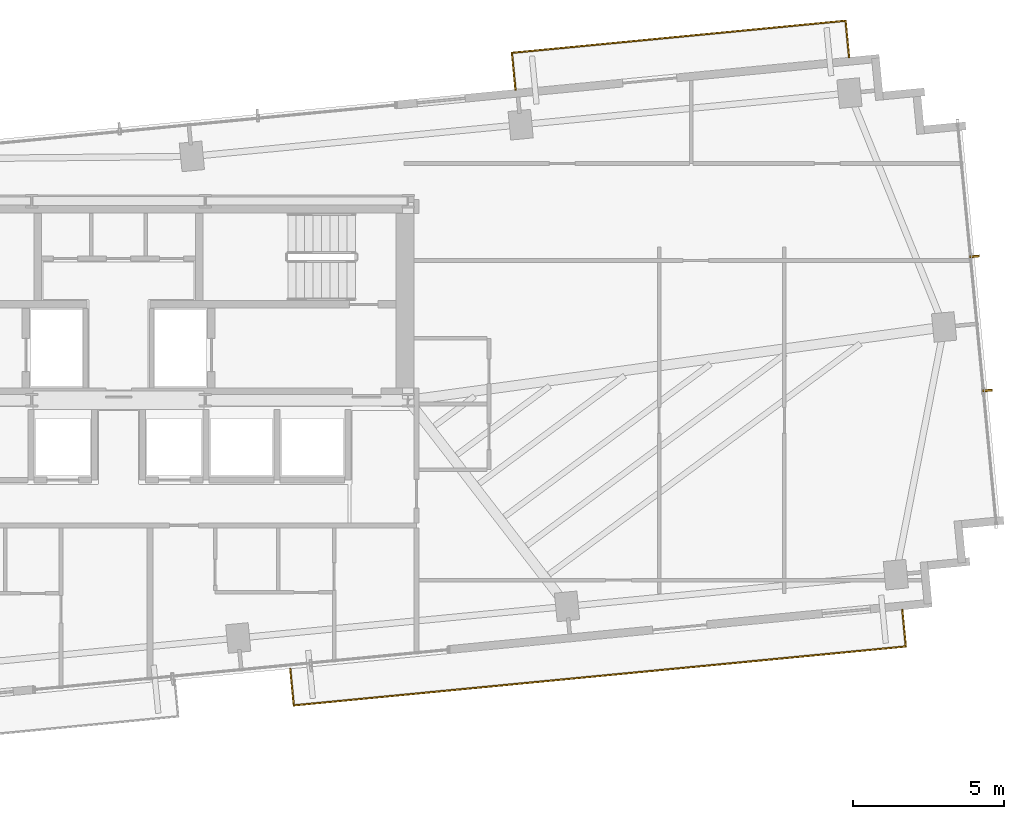
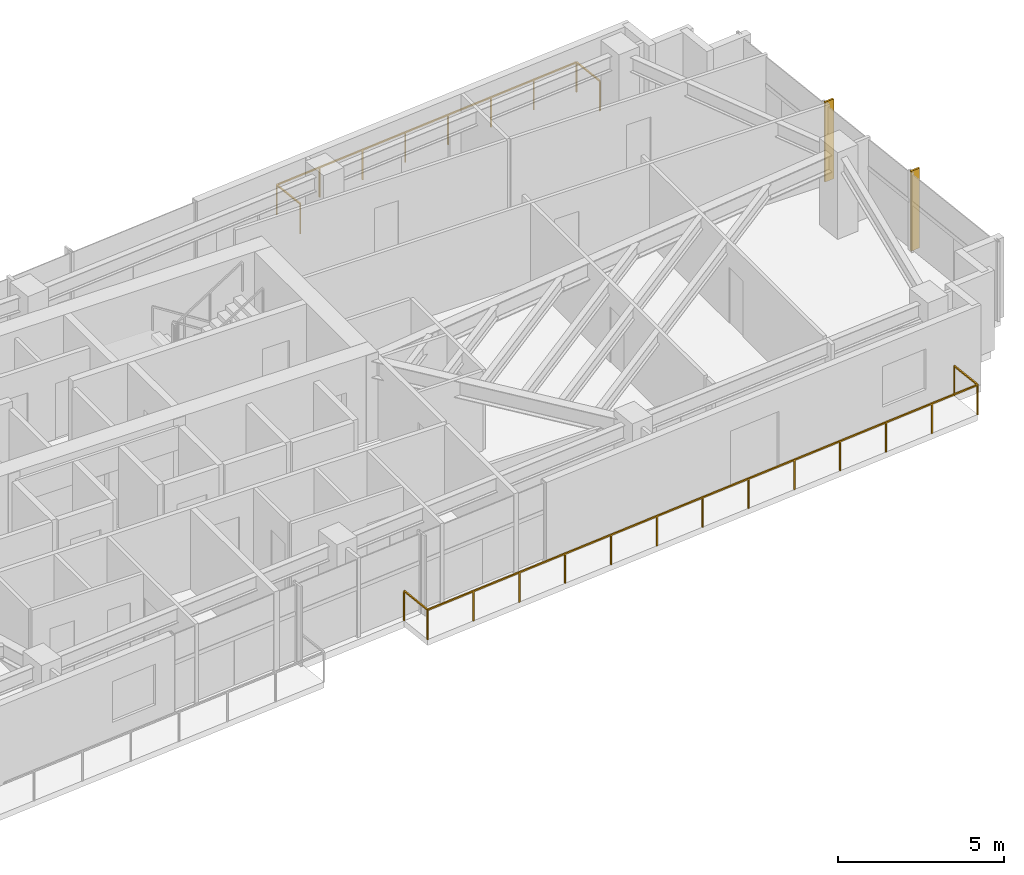
# One storey, part 18 of 18: 2 railings, 2 shading devices.
"""IFC4 building model written with IfcOpenShell, lengths in metres."""

from ifc_helpers import new_model, si_unit, direction, frame, origin, origin_2d, place, context, subcontext, project, spatial, rectangle, extrude, source, transform, mapped, material, type_object, type_shapes, element, save


model = new_model("IFC4")

# Units and contexts
model_context = context("Model", 3, precision=1e-05, world=origin(), true_north=direction((0.0, 1.0)))
body_context = subcontext(model_context, "Body", "Model", "MODEL_VIEW")
ifc_project = project(units=[si_unit("LENGTHUNIT", "METRE"), si_unit("AREAUNIT", "SQUARE_METRE"), si_unit("VOLUMEUNIT", "CUBIC_METRE"), si_unit("PLANEANGLEUNIT", "RADIAN"), si_unit("MASSUNIT", "GRAM", prefix="KILO")], contexts=[model_context])

# Site, building, storey
site_placement = place(None, origin())
site = spatial("IfcSite", under=ifc_project, at=site_placement, CompositionType="ELEMENT")
building_placement = place(site_placement, origin())
building = spatial("IfcBuilding", under=site, at=building_placement, Name="Astriad Promenade Condominiums", CompositionType="ELEMENT")
storey_placement = place(building_placement, frame((0.0, 0.0, 179.39990234375)))
storey = spatial("IfcBuildingStorey", under=building, at=storey_placement, Name="L51", CompositionType="ELEMENT", Elevation=179.39990234375)

# Shading devices
ifc_material_1 = material(Name="Anodised aluminium 6063-T6 Black Fin", Category="aluminium")
shading_device_type = type_object("IfcShadingDeviceType", Name="FIN-BLACK-260", PredefinedType="USERDEFINED", material=ifc_material_1)
shared_shape_1 = source(origin(), body_context, "Body", "SweptSolid", [
    extrude(rectangle(XDim=0.06494140625, YDim=0.320068359375, at=origin_2d()), origin(), (0.0, 0.0, 1.0), 2.93994140625),
])
type_shapes(shading_device_type, [shared_shape_1])
for number, where, z_axis, x_axis, name in (
    (1, (64.37841796875, 22.16796875, 0.000244140625), (0.0, 0.0, 1.0), (0.09584575252, -0.995396198367, 0.0), "CW-L51-E-FIN-01"),
    (2, (64.806640625, 17.721923828125, 0.000244140625), (0.0, 0.0, 1.0), (0.09584575252, -0.995396198367, 0.0), "CW-L51-E-FIN-02"),
):
    element("IfcShadingDevice", number, at=place(storey_placement, frame(where, z_axis=z_axis, x_axis=x_axis)), inside=storey, type_object=shading_device_type, Name=name, ObjectType="FIN", PredefinedType="USERDEFINED", context=body_context, shape_type="MappedRepresentation", body=[
        mapped(shared_shape_1, transform((0.0, 0.0, 0.0), scale=1.0)),
    ])

# Railings
ifc_material_2 = material(Name="Laminated Glass and Stainless Steel Balustrade", Category="steel")
railing_type = type_object("IfcRailingType", Name="GRD-BALC-1120", PredefinedType="BALUSTRADE", material=ifc_material_2)
shared_shape_2 = source(origin(), body_context, "Body", "SweptSolid", [
    extrude(rectangle(XDim=0.048095703125, YDim=0.048095703125, at=origin_2d()), frame((0.0, 0.0, 1.09619140625), z_axis=(0.095876405589, -0.995393246336, 0.0), x_axis=(0.995393246336, 0.095876405589, 0.0)), (0.0, 0.0, 1.0), 1.2197265625),
    extrude(rectangle(XDim=0.048095703125, YDim=0.048095703125, at=origin_2d()), frame((0.116943359375, -1.214111328125, 1.09619140625), z_axis=(0.995396644248, 0.09584112176, 0.0), x_axis=(-0.09584112176, 0.995396644248, 0.0)), (0.0, 0.0, 1.0), 20.3837890625),
    extrude(rectangle(XDim=0.048095703125, YDim=0.048095703125, at=origin_2d()), frame((20.406982421875, 0.739501953125, 1.09619140625), z_axis=(-0.095857307208, 0.99539508571, 0.0), x_axis=(-0.99539508571, -0.095857307208, 0.0)), (0.0, 0.0, 1.0), 1.219970703125),
    extrude(rectangle(XDim=0.0419921875, YDim=0.0419921875, at=origin_2d()), origin(), (0.0, 0.0, 1.0), 1.072021484375),
    extrude(rectangle(XDim=0.0419921875, YDim=0.0419921875, at=origin_2d()), frame((0.116943359375, -1.214111328125, 0.0)), (0.0, 0.0, 1.0), 1.072021484375),
    extrude(rectangle(XDim=0.0419921875, YDim=0.0419921875, at=origin_2d()), frame((1.807861328125, -1.05126953125, 0.0)), (0.0, 0.0, 1.0), 1.072021484375),
    extrude(rectangle(XDim=0.0419921875, YDim=0.0419921875, at=origin_2d()), frame((3.49853515625, -0.888427734375, 0.0)), (0.0, 0.0, 1.0), 1.072021484375),
    extrude(rectangle(XDim=0.0419921875, YDim=0.0419921875, at=origin_2d()), frame((5.189453125, -0.7255859375, 0.0)), (0.0, 0.0, 1.0), 1.072021484375),
    extrude(rectangle(XDim=0.0419921875, YDim=0.0419921875, at=origin_2d()), frame((6.88037109375, -0.56298828125, 0.0)), (0.0, 0.0, 1.0), 1.072021484375),
    extrude(rectangle(XDim=0.0419921875, YDim=0.0419921875, at=origin_2d()), frame((8.571044921875, -0.400146484375, 0.0)), (0.0, 0.0, 1.0), 1.072021484375),
    extrude(rectangle(XDim=0.0419921875, YDim=0.0419921875, at=origin_2d()), frame((10.261962890625, -0.2373046875, 0.0)), (0.0, 0.0, 1.0), 1.072021484375),
    extrude(rectangle(XDim=0.0419921875, YDim=0.0419921875, at=origin_2d()), frame((11.952880859375, -0.074462890625, 0.0)), (0.0, 0.0, 1.0), 1.072021484375),
    extrude(rectangle(XDim=0.0419921875, YDim=0.0419921875, at=origin_2d()), frame((13.6435546875, 0.08837890625, 0.0)), (0.0, 0.0, 1.0), 1.072021484375),
    extrude(rectangle(XDim=0.0419921875, YDim=0.0419921875, at=origin_2d()), frame((15.33447265625, 0.2509765625, 0.0)), (0.0, 0.0, 1.0), 1.072021484375),
    extrude(rectangle(XDim=0.0419921875, YDim=0.0419921875, at=origin_2d()), frame((17.025390625, 0.413818359375, 0.0)), (0.0, 0.0, 1.0), 1.072021484375),
    extrude(rectangle(XDim=0.0419921875, YDim=0.0419921875, at=origin_2d()), frame((18.716064453125, 0.57666015625, 0.0)), (0.0, 0.0, 1.0), 1.072021484375),
    extrude(rectangle(XDim=0.0419921875, YDim=0.0419921875, at=origin_2d()), frame((20.406982421875, 0.739501953125, 0.0)), (0.0, 0.0, 1.0), 1.072021484375),
    extrude(rectangle(XDim=0.0419921875, YDim=0.0419921875, at=origin_2d()), frame((20.2900390625, 1.953857421875, 0.0)), (0.0, 0.0, 1.0), 1.072021484375),
])
railing_1_placement = place(storey_placement, frame((41.6923828125, 8.497314453125, 0.0)))
element("IfcRailing", 3, at=railing_1_placement, inside=storey, type_object=railing_type, Name="GRD-BALC-L51-SE", PredefinedType="BALUSTRADE", context=body_context, shape_type="MappedRepresentation", body=[
    mapped(shared_shape_2, transform((0.0, 0.0, 0.0), scale=1.0)),
])
shared_shape_3 = source(origin(), body_context, "Body", "SweptSolid", [
    extrude(rectangle(XDim=0.048095703125, YDim=0.048095703125, at=origin_2d()), frame((0.0, 0.0, 1.09619140625), z_axis=(-0.095857307208, 0.99539508571, 0.0), x_axis=(-0.99539508571, -0.095857307208, 0.0)), (0.0, 0.0, 1.0), 1.219970703125),
    extrude(rectangle(XDim=0.048095703125, YDim=0.048095703125, at=origin_2d()), frame((-0.116943359375, 1.21435546875, 1.09619140625), z_axis=(-0.995396985073, -0.09583758192, 0.0), x_axis=(0.09583758192, -0.995396985073, 0.0)), (0.0, 0.0, 1.0), 11.112060546875),
    extrude(rectangle(XDim=0.048095703125, YDim=0.048095703125, at=origin_2d()), frame((-11.177734375, 0.1494140625, 1.09619140625), z_axis=(0.095857307208, -0.99539508571, 0.0), x_axis=(0.99539508571, 0.095857307208, 0.0)), (0.0, 0.0, 1.0), 1.219970703125),
    extrude(rectangle(XDim=0.0419921875, YDim=0.0419921875, at=origin_2d()), origin(), (0.0, 0.0, 1.0), 1.072021484375),
    extrude(rectangle(XDim=0.0419921875, YDim=0.0419921875, at=origin_2d()), frame((-0.116943359375, 1.21435546875, 0.0)), (0.0, 0.0, 1.0), 1.072021484375),
    extrude(rectangle(XDim=0.0419921875, YDim=0.0419921875, at=origin_2d()), frame((-1.697021484375, 1.062255859375, 0.0)), (0.0, 0.0, 1.0), 1.072021484375),
    extrude(rectangle(XDim=0.0419921875, YDim=0.0419921875, at=origin_2d()), frame((-3.277099609375, 0.91015625, 0.0)), (0.0, 0.0, 1.0), 1.072021484375),
    extrude(rectangle(XDim=0.0419921875, YDim=0.0419921875, at=origin_2d()), frame((-4.857177734375, 0.758056640625, 0.0)), (0.0, 0.0, 1.0), 1.072021484375),
    extrude(rectangle(XDim=0.0419921875, YDim=0.0419921875, at=origin_2d()), frame((-6.4375, 0.605712890625, 0.0)), (0.0, 0.0, 1.0), 1.072021484375),
    extrude(rectangle(XDim=0.0419921875, YDim=0.0419921875, at=origin_2d()), frame((-8.017578125, 0.45361328125, 0.0)), (0.0, 0.0, 1.0), 1.072021484375),
    extrude(rectangle(XDim=0.0419921875, YDim=0.0419921875, at=origin_2d()), frame((-9.59765625, 0.301513671875, 0.0)), (0.0, 0.0, 1.0), 1.072021484375),
    extrude(rectangle(XDim=0.0419921875, YDim=0.0419921875, at=origin_2d()), frame((-11.177734375, 0.1494140625, 0.0)), (0.0, 0.0, 1.0), 1.072021484375),
    extrude(rectangle(XDim=0.0419921875, YDim=0.0419921875, at=origin_2d()), frame((-11.060791015625, -1.06494140625, 0.0)), (0.0, 0.0, 1.0), 1.072021484375),
])
type_shapes(railing_type, [shared_shape_2, shared_shape_3])
railing_2_placement = place(storey_placement, frame((60.218994140625, 28.766357421875, 0.0)))
element("IfcRailing", 4, at=railing_2_placement, inside=storey, type_object=railing_type, Name="GRD-BALC-L51-NE", PredefinedType="BALUSTRADE", context=body_context, shape_type="MappedRepresentation", body=[
    mapped(shared_shape_3, transform((0.0, 0.0, 0.0), scale=1.0)),
])

save(model, "model.ifc")
